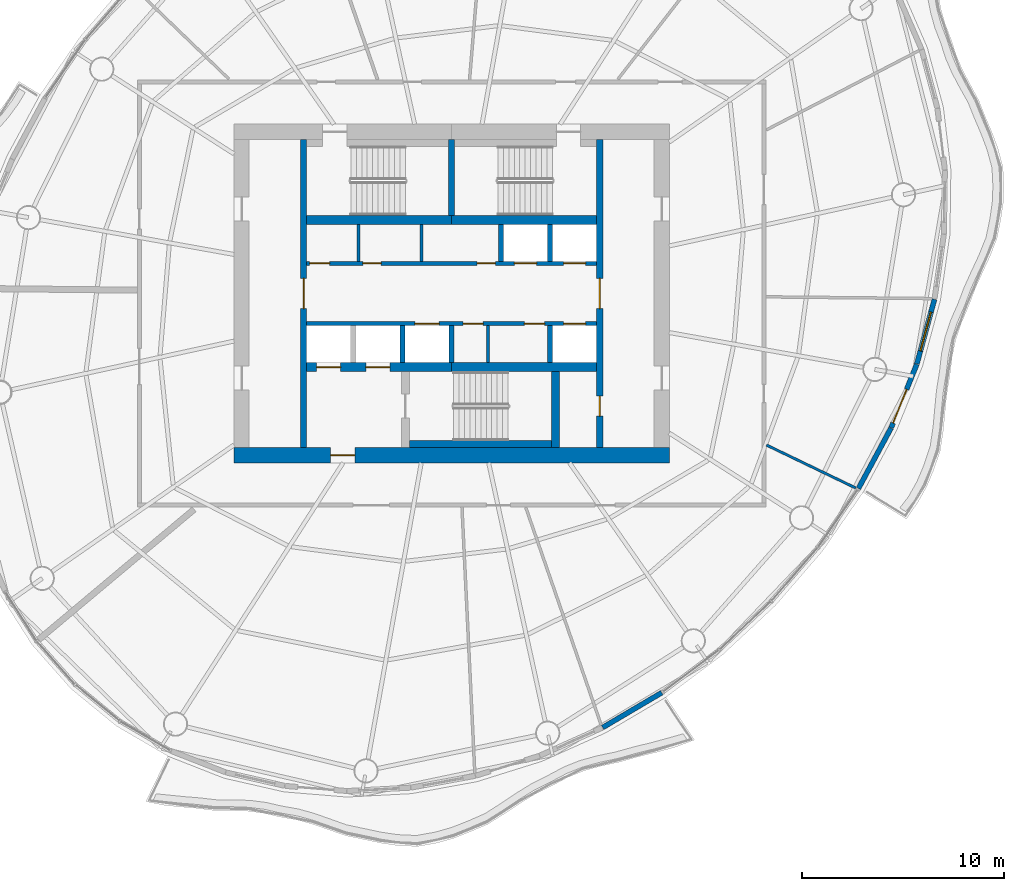
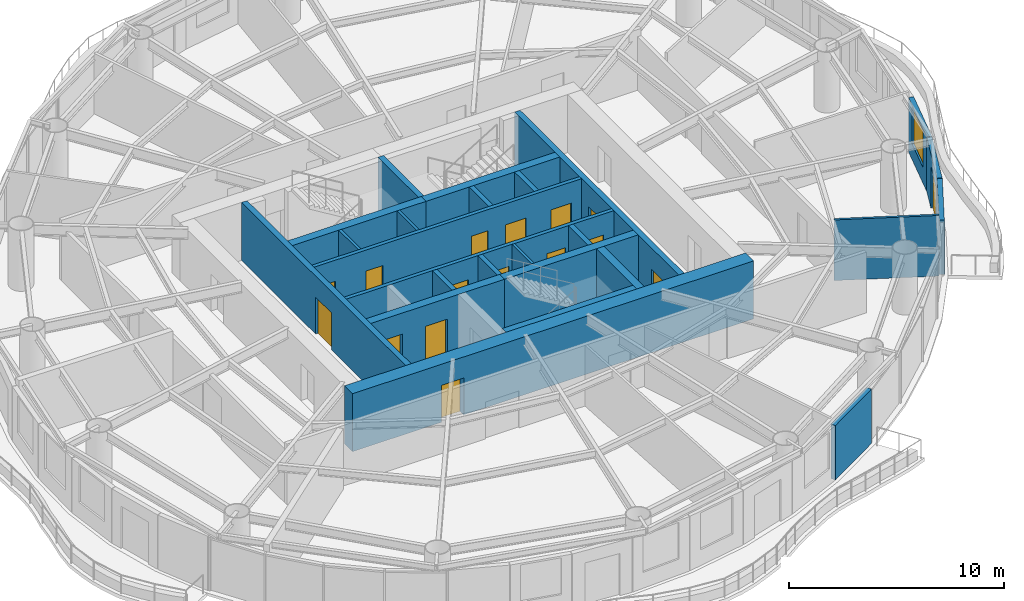
# One storey, part 9 of 14: 25 walls, 16 doors, 1 window, 17 openings.
"""IFC4 building model written with IfcOpenShell, lengths in metres."""

from ifc_helpers import new_model, si_unit, direction, frame, frame_2d, origin, place, context, subcontext, project, spatial, rectangle, extrude, material, layer, layer_set, type_object, element, fill, save


model = new_model("IFC4")

# Units and contexts
model_context = context("Model", 3, precision=1e-05, world=origin(), true_north=direction((0.0, 1.0)))
body_context = subcontext(model_context, "Body", "Model", "MODEL_VIEW")
ifc_project = project(units=[si_unit("LENGTHUNIT", "METRE"), si_unit("AREAUNIT", "SQUARE_METRE"), si_unit("VOLUMEUNIT", "CUBIC_METRE"), si_unit("PLANEANGLEUNIT", "RADIAN"), si_unit("MASSUNIT", "GRAM", prefix="KILO")], contexts=[model_context])

# Site, building, storey
site_placement = place(None, origin())
site = spatial("IfcSite", under=ifc_project, at=site_placement, CompositionType="ELEMENT")
building_placement = place(site_placement, origin())
building = spatial("IfcBuilding", under=site, at=building_placement, Name="Vermilion Reach Broadcast Tower", CompositionType="ELEMENT")
storey_placement = place(building_placement, frame((0.0, 0.0, 217.300048828125)))
storey = spatial("IfcBuildingStorey", under=building, at=storey_placement, Name="L53", CompositionType="ELEMENT", Elevation=217.300048828125)

# Wall, opening, door
ifc_material_1 = material(Name="Concrete C60", Category="concrete")
ifc_layer_1 = layer(ifc_material_1, 0.300048828125)
ifc_layer_set_1 = layer_set([ifc_layer_1], Name="Core inner wall 300 mm Concrete C60")
wall_type_1 = type_object("IfcWallType", Name="Core inner wall 300 mm Concrete C60", PredefinedType="SHEAR", material=ifc_layer_set_1)
wall_1_placement = place(storey_placement, frame((-13.35009765625, 7.64990234375, 0.0), z_axis=(0.0, 0.0, 1.0), x_axis=(0.0, -1.0, 0.0)))
wall_1 = element("IfcWall", 1, at=wall_1_placement, inside=storey, type_object=wall_type_1, Name="L53 core wall ewW", PredefinedType="SHEAR", context=body_context, shape_type="SweptSolid", body=[
    extrude(rectangle(XDim=15.2998046875, YDim=0.300048828125, at=frame_2d((7.64990234375, 0.0))), origin(), (0.0, 0.0, 1.0), 3.300048828125),
])
opening_1_placement = place(wall_1_placement, frame((6.89990234375, 0.0, 0.0)))
opening_1 = element("IfcOpeningElement", 2, at=opening_1_placement, cuts=wall_1, Name="Opening D04", PredefinedType="OPENING", context=body_context, shape_type="SweptSolid", body=[
    extrude(rectangle(XDim=1.5, YDim=2.10009765625, at=frame_2d((0.75, 1.050048828125))), frame((0.0, 0.159912109375, 0.0), z_axis=(0.0, -1.0, 0.0), x_axis=(1.0, 0.0, 0.0)), (0.0, 0.0, 1.0), 0.320068359375),
])
ifc_material_2 = material(Name="Painted steel fire door", Category="steel")
door_type_1 = type_object("IfcDoorType", Name="Lift lobby door 1500 x 2100", OperationType="DOUBLE_DOOR_SINGLE_SWING", PredefinedType="NOTDEFINED", material=ifc_material_2)
door_1_placement = place(opening_1_placement, origin())
door_1 = element("IfcDoor", 3, at=door_1_placement, inside=storey, type_object=door_type_1, Name="L53 band door BW", OperationType="DOUBLE_DOOR_SINGLE_SWING", OverallHeight=2.10009765625, OverallWidth=1.5, PredefinedType="NOTDEFINED", context=body_context, shape_type="SweptSolid", body=[
    extrude(rectangle(XDim=1.5, YDim=2.10009765625, at=frame_2d((0.75, 1.050048828125))), frame((0.0, 0.02490234375, 0.0), z_axis=(0.0, -1.0, 0.0), x_axis=(1.0, 0.0, 0.0)), (0.0, 0.0, 1.0), 0.050048828125),
])
fill(opening_1, door_1)

# Wall, openings, doors
wall_2_placement = place(storey_placement, frame((1.35009765625, -7.64990234375, 0.0), z_axis=(0.0, 0.0, 1.0), x_axis=(0.0, 1.0, 0.0)))
wall_2 = element("IfcWall", 4, at=wall_2_placement, inside=storey, type_object=wall_type_1, Name="L53 core wall ewE", PredefinedType="SHEAR", context=body_context, shape_type="SweptSolid", body=[
    extrude(rectangle(XDim=15.2998046875, YDim=0.300048828125, at=frame_2d((7.64990234375, 0.0))), origin(), (0.0, 0.0, 1.0), 3.300048828125),
])
opening_2_placement = place(wall_2_placement, frame((1.56005859375, 0.0, 0.0)))
opening_2 = element("IfcOpeningElement", 5, at=opening_2_placement, cuts=wall_2, Name="Opening D05", PredefinedType="OPENING", context=body_context, shape_type="SweptSolid", body=[
    extrude(rectangle(XDim=1.0, YDim=2.10009765625, at=frame_2d((0.5, 1.050048828125))), frame((0.0, 0.159912109375, 0.0), z_axis=(0.0, -1.0, 0.0), x_axis=(1.0, 0.0, 0.0)), (0.0, 0.0, 1.0), 0.320068359375),
])
opening_3_placement = place(wall_2_placement, frame((6.89990234375, 0.0, 0.0)))
opening_3 = element("IfcOpeningElement", 6, at=opening_3_placement, cuts=wall_2, Name="Opening D04", PredefinedType="OPENING", context=body_context, shape_type="SweptSolid", body=[
    extrude(rectangle(XDim=1.5, YDim=2.10009765625, at=frame_2d((0.75, 1.050048828125))), frame((0.0, 0.159912109375, 0.0), z_axis=(0.0, -1.0, 0.0), x_axis=(1.0, 0.0, 0.0)), (0.0, 0.0, 1.0), 0.320068359375),
])
door_2_placement = place(opening_3_placement, origin())
door_2 = element("IfcDoor", 7, at=door_2_placement, inside=storey, type_object=door_type_1, Name="L53 band door BE", OperationType="DOUBLE_DOOR_SINGLE_SWING", OverallHeight=2.10009765625, OverallWidth=1.5, PredefinedType="NOTDEFINED", context=body_context, shape_type="SweptSolid", body=[
    extrude(rectangle(XDim=1.5, YDim=2.10009765625, at=frame_2d((0.75, 1.050048828125))), frame((0.0, 0.02490234375, 0.0), z_axis=(0.0, -1.0, 0.0), x_axis=(1.0, 0.0, 0.0)), (0.0, 0.0, 1.0), 0.050048828125),
])
fill(opening_3, door_2)
ifc_material_3 = material(Name="Timber door", Category="wood")
door_type_2 = type_object("IfcDoorType", Name="Room door 1000 x 2100", OperationType="NOTDEFINED", PredefinedType="NOTDEFINED", material=ifc_material_3)
door_3_placement = place(opening_2_placement, origin())
door_3 = element("IfcDoor", 8, at=door_3_placement, inside=storey, type_object=door_type_2, Name="L53 door SER", OperationType="SINGLE_SWING_LEFT", OverallHeight=2.10009765625, OverallWidth=1.0, PredefinedType="NOTDEFINED", context=body_context, shape_type="SweptSolid", body=[
    extrude(rectangle(XDim=1.0, YDim=2.10009765625, at=frame_2d((0.5, 1.050048828125))), frame((0.0, 0.02490234375, 0.0), z_axis=(0.0, -1.0, 0.0), x_axis=(1.0, 0.0, 0.0)), (0.0, 0.0, 1.0), 0.050048828125),
])
fill(opening_2, door_3)

# Walls
wall_3_placement = place(storey_placement, frame((-6.0, 3.8798828125, 0.0), z_axis=(0.0, 0.0, 1.0), x_axis=(0.0, 1.0, 0.0)))
element("IfcWall", 9, at=wall_3_placement, inside=storey, type_object=wall_type_1, Name="L53 core wall wc", PredefinedType="SHEAR", context=body_context, shape_type="SweptSolid", body=[
    extrude(rectangle(XDim=3.77001953125, YDim=0.300048828125, at=frame_2d((1.885009765625, 0.0))), origin(), (0.0, 0.0, 1.0), 3.300048828125),
])
ifc_material_4 = material(Name="Concrete C60", Category="concrete")
ifc_layer_2 = layer(ifc_material_4, 0.39990234375)
ifc_layer_set_2 = layer_set([ifc_layer_2], Name="Core inner wall 400 mm Concrete C60")
wall_type_2 = type_object("IfcWallType", Name="Core inner wall 400 mm Concrete C60", PredefinedType="SHEAR", material=ifc_layer_set_2)
wall_4_placement = place(storey_placement, frame((-0.85009765625, -3.8798828125, 0.0), z_axis=(0.0, 0.0, 1.0), x_axis=(0.0, -1.0, 0.0)))
element("IfcWall", 10, at=wall_4_placement, inside=storey, type_object=wall_type_2, Name="L53 core wall wb", PredefinedType="SHEAR", context=body_context, shape_type="SweptSolid", body=[
    extrude(rectangle(XDim=3.77001953125, YDim=0.39990234375, at=frame_2d((1.885009765625, 0.0))), origin(), (0.0, 0.0, 1.0), 3.300048828125),
])
ifc_material_5 = material(Name="Concrete C60", Category="concrete")
ifc_layer_3 = layer(ifc_material_5, 0.449951171875)
ifc_layer_set_3 = layer_set([ifc_layer_3], Name="Core inner wall 450 mm Concrete C60")
wall_type_3 = type_object("IfcWallType", Name="Core inner wall 450 mm Concrete C60", PredefinedType="SHEAR", material=ifc_layer_set_3)
for number, where, z_axis, x_axis, name in (
    (11, (-13.199951171875, 3.655029296875, 0.0), (0.0, 0.0, 1.0), (1.0, 0.0, 0.0), "L53 core wall winW"),
    (12, (-6.0, 3.655029296875, 0.0), (0.0, 0.0, 1.0), (1.0, 0.0, 0.0), "L53 core wall winE"),
):
    element("IfcWall", number, at=place(storey_placement, frame(where, z_axis=z_axis, x_axis=x_axis)), inside=storey, type_object=wall_type_3, Name=name, PredefinedType="SHEAR", context=body_context, shape_type="SweptSolid", body=[
        extrude(rectangle(XDim=7.199951171875, YDim=0.449951171875, at=frame_2d((3.60009765625, 0.0))), origin(), (0.0, 0.0, 1.0), 3.300048828125),
    ])

# Wall, openings, doors
wall_5_placement = place(storey_placement, frame((-13.199951171875, -3.655029296875, 0.0), z_axis=(0.0, 0.0, 1.0), x_axis=(1.0, 0.0, 0.0)))
wall_5 = element("IfcWall", 13, at=wall_5_placement, inside=storey, type_object=wall_type_3, Name="L53 core wall wisW", PredefinedType="SHEAR", context=body_context, shape_type="SweptSolid", body=[
    extrude(rectangle(XDim=7.199951171875, YDim=0.449951171875, at=frame_2d((3.60009765625, 0.0))), origin(), (0.0, 0.0, 1.0), 3.300048828125),
])
opening_4_placement = place(wall_5_placement, frame((0.495849609375, 0.0, 0.0)))
opening_4 = element("IfcOpeningElement", 14, at=opening_4_placement, cuts=wall_5, Name="Opening LD1", PredefinedType="OPENING", context=body_context, shape_type="SweptSolid", body=[
    extrude(rectangle(XDim=1.199951171875, YDim=2.10009765625, at=frame_2d((0.60009765625, 1.050048828125))), frame((0.0, 0.23486328125, 0.0), z_axis=(0.0, -1.0, 0.0), x_axis=(1.0, 0.0, 0.0)), (0.0, 0.0, 1.0), 0.469970703125),
])
opening_5_placement = place(wall_5_placement, frame((2.9375, 0.0, 0.0)))
opening_5 = element("IfcOpeningElement", 15, at=opening_5_placement, cuts=wall_5, Name="Opening LD1", PredefinedType="OPENING", context=body_context, shape_type="SweptSolid", body=[
    extrude(rectangle(XDim=1.199951171875, YDim=2.10009765625, at=frame_2d((0.60009765625, 1.050048828125))), frame((0.0, 0.23486328125, 0.0), z_axis=(0.0, -1.0, 0.0), x_axis=(1.0, 0.0, 0.0)), (0.0, 0.0, 1.0), 0.469970703125),
])
ifc_material_6 = material(Name="Stainless steel", Category="steel")
door_type_3 = type_object("IfcDoorType", Name="Landing door 1200 x 2100", OperationType="DOUBLE_DOOR_SLIDING", PredefinedType="NOTDEFINED", material=ifc_material_6)
door_4_placement = place(opening_4_placement, origin())
door_4 = element("IfcDoor", 16, at=door_4_placement, inside=storey, type_object=door_type_3, Name="L53 landing door FF1", OperationType="DOUBLE_DOOR_SLIDING", OverallHeight=2.10009765625, OverallWidth=1.199951171875, PredefinedType="NOTDEFINED", context=body_context, shape_type="SweptSolid", body=[
    extrude(rectangle(XDim=1.199951171875, YDim=2.10009765625, at=frame_2d((0.60009765625, 1.050048828125))), frame((0.0, 0.02490234375, 0.0), z_axis=(0.0, -1.0, 0.0), x_axis=(1.0, 0.0, 0.0)), (0.0, 0.0, 1.0), 0.050048828125),
])
fill(opening_4, door_4)
door_5_placement = place(opening_5_placement, origin())
door_5 = element("IfcDoor", 17, at=door_5_placement, inside=storey, type_object=door_type_3, Name="L53 landing door FF2", OperationType="DOUBLE_DOOR_SLIDING", OverallHeight=2.10009765625, OverallWidth=1.199951171875, PredefinedType="NOTDEFINED", context=body_context, shape_type="SweptSolid", body=[
    extrude(rectangle(XDim=1.199951171875, YDim=2.10009765625, at=frame_2d((0.60009765625, 1.050048828125))), frame((0.0, 0.02490234375, 0.0), z_axis=(0.0, -1.0, 0.0), x_axis=(1.0, 0.0, 0.0)), (0.0, 0.0, 1.0), 0.050048828125),
])
fill(opening_5, door_5)

# Wall
wall_6_placement = place(storey_placement, frame((-6.0, -3.655029296875, 0.0), z_axis=(0.0, 0.0, 1.0), x_axis=(1.0, 0.0, 0.0)))
element("IfcWall", 18, at=wall_6_placement, inside=storey, type_object=wall_type_3, Name="L53 core wall wisE", PredefinedType="SHEAR", context=body_context, shape_type="SweptSolid", body=[
    extrude(rectangle(XDim=7.199951171875, YDim=0.449951171875, at=frame_2d((3.60009765625, 0.0))), origin(), (0.0, 0.0, 1.0), 3.300048828125),
])

# Wall, opening, door
ifc_material_7 = material(Name="Concrete C60", Category="concrete")
ifc_layer_4 = layer(ifc_material_7, 0.75)
ifc_layer_set_4 = layer_set([ifc_layer_4], Name="Core outer wall 750 mm Concrete C60")
wall_type_4 = type_object("IfcWallType", Name="Core outer wall 750 mm Concrete C60", PredefinedType="SHEAR", material=ifc_layer_set_4)
wall_7_placement = place(storey_placement, frame((-16.800048828125, -8.02490234375, 0.0), z_axis=(0.0, 0.0, 1.0), x_axis=(1.0, 0.0, 0.0)))
wall_7 = element("IfcWall", 19, at=wall_7_placement, inside=storey, type_object=wall_type_4, Name="L53 core wall os", PredefinedType="SHEAR", context=body_context, shape_type="SweptSolid", body=[
    extrude(rectangle(XDim=21.60009765625, YDim=0.75, at=frame_2d((10.800048828125, 0.0))), origin(), (0.0, 0.0, 1.0), 3.300048828125),
])
opening_6_placement = place(wall_7_placement, frame((4.800048828125, 0.0, 0.0)))
opening_6 = element("IfcOpeningElement", 20, at=opening_6_placement, cuts=wall_7, Name="Opening D02", PredefinedType="OPENING", context=body_context, shape_type="SweptSolid", body=[
    extrude(rectangle(XDim=1.199951171875, YDim=2.10009765625, at=frame_2d((0.60009765625, 1.050048828125))), frame((0.0, 0.385009765625, 0.0), z_axis=(0.0, -1.0, 0.0), x_axis=(1.0, 0.0, 0.0)), (0.0, 0.0, 1.0), 0.77001953125),
])
ifc_material_8 = material(Name="Painted steel fire door", Category="steel")
door_type_4 = type_object("IfcDoorType", Name="Firefighting lobby door 1200 x 2100", OperationType="DOUBLE_DOOR_SINGLE_SWING", PredefinedType="NOTDEFINED", material=ifc_material_8)
door_6_placement = place(opening_6_placement, origin())
door_6 = element("IfcDoor", 21, at=door_6_placement, inside=storey, type_object=door_type_4, Name="L53 ffdoor door FFL", OperationType="DOUBLE_DOOR_SINGLE_SWING", OverallHeight=2.10009765625, OverallWidth=1.199951171875, PredefinedType="NOTDEFINED", context=body_context, shape_type="SweptSolid", body=[
    extrude(rectangle(XDim=1.199951171875, YDim=2.10009765625, at=frame_2d((0.60009765625, 1.050048828125))), frame((0.0, 0.02490234375, 0.0), z_axis=(0.0, -1.0, 0.0), x_axis=(1.0, 0.0, 0.0)), (0.0, 0.0, 1.0), 0.050048828125),
])
fill(opening_6, door_6)

# Walls
ifc_material_9 = material(Name="Masonry block", Category="masonry")
ifc_layer_5 = layer(ifc_material_9, 0.14990234375)
ifc_layer_set_5 = layer_set([ifc_layer_5], Name="Core partition wall 150 mm Masonry block")
wall_type_5 = type_object("IfcWallType", Name="Core partition wall 150 mm Masonry block", PredefinedType="PARTITIONING", material=ifc_layer_set_5)
for number, where, z_axis, x_axis, name in (
    (22, (-10.630615234375, 1.60009765625, 0.0), (0.0, 0.0, 1.0), (0.0, 1.0, 0.0), "L53 core wall prN-4630"),
    (23, (-7.489990234375, 1.60009765625, 0.0), (0.0, 0.0, 1.0), (0.0, 1.0, 0.0), "L53 core wall prN-1490"),
    (24, (-4.20703125, -1.60009765625, 0.0), (0.0, 0.0, 1.0), (0.0, -1.0, 0.0), "L53 core wall prS1793"),
):
    element("IfcWall", number, at=place(storey_placement, frame(where, z_axis=z_axis, x_axis=x_axis)), inside=storey, type_object=wall_type_5, Name=name, PredefinedType="PARTITIONING", context=body_context, shape_type="SweptSolid", body=[
        extrude(rectangle(XDim=1.829833984375, YDim=0.14990234375, at=frame_2d((0.9150390625, 0.0))), origin(), (0.0, 0.0, 1.0), 3.300048828125),
    ])

# Wall, openings, doors
ifc_material_10 = material(Name="Concrete C50", Category="concrete")
ifc_layer_6 = layer(ifc_material_10, 0.199951171875)
ifc_layer_set_6 = layer_set([ifc_layer_6], Name="Core shaft wall 200 mm Concrete C50")
wall_type_6 = type_object("IfcWallType", Name="Core shaft wall 200 mm Concrete C50", PredefinedType="SHEAR", material=ifc_layer_set_6)
wall_8_placement = place(storey_placement, frame((-13.199951171875, 1.5, 0.0), z_axis=(0.0, 0.0, 1.0), x_axis=(1.0, 0.0, 0.0)))
wall_8 = element("IfcWall", 25, at=wall_8_placement, inside=storey, type_object=wall_type_6, Name="L53 core wall fn", PredefinedType="SHEAR", context=body_context, shape_type="SweptSolid", body=[
    extrude(rectangle(XDim=14.39990234375, YDim=0.199951171875, at=frame_2d((7.199951171875, 0.0))), origin(), (0.0, 0.0, 1.0), 3.300048828125),
])
opening_7_placement = place(wall_8_placement, frame((10.3125, 0.0, 0.0)))
opening_7 = element("IfcOpeningElement", 26, at=opening_7_placement, cuts=wall_8, Name="Opening LD2", PredefinedType="OPENING", context=body_context, shape_type="SweptSolid", body=[
    extrude(rectangle(XDim=1.10009765625, YDim=2.10009765625, at=frame_2d((0.550048828125, 1.050048828125))), frame((0.0, 0.10986328125, 0.0), z_axis=(0.0, -1.0, 0.0), x_axis=(1.0, 0.0, 0.0)), (0.0, 0.0, 1.0), 0.219970703125),
])
opening_8_placement = place(wall_8_placement, frame((12.754150390625, 0.0, 0.0)))
opening_8 = element("IfcOpeningElement", 27, at=opening_8_placement, cuts=wall_8, Name="Opening LD2", PredefinedType="OPENING", context=body_context, shape_type="SweptSolid", body=[
    extrude(rectangle(XDim=1.10009765625, YDim=2.10009765625, at=frame_2d((0.550048828125, 1.050048828125))), frame((0.0, 0.10986328125, 0.0), z_axis=(0.0, -1.0, 0.0), x_axis=(1.0, 0.0, 0.0)), (0.0, 0.0, 1.0), 0.219970703125),
])
opening_9_placement = place(wall_8_placement, frame((0.14990234375, 0.0, 0.0)))
opening_9 = element("IfcOpeningElement", 28, at=opening_9_placement, cuts=wall_8, Name="Opening D10", PredefinedType="OPENING", context=body_context, shape_type="SweptSolid", body=[
    extrude(rectangle(XDim=1.0, YDim=2.10009765625, at=frame_2d((0.5, 1.050048828125))), frame((0.0, 0.10986328125, 0.0), z_axis=(0.0, -1.0, 0.0), x_axis=(1.0, 0.0, 0.0)), (0.0, 0.0, 1.0), 0.219970703125),
])
opening_10_placement = place(wall_8_placement, frame((2.79443359375, 0.0, 0.0)))
opening_10 = element("IfcOpeningElement", 29, at=opening_10_placement, cuts=wall_8, Name="Opening D06", PredefinedType="OPENING", context=body_context, shape_type="SweptSolid", body=[
    extrude(rectangle(XDim=0.89990234375, YDim=2.10009765625, at=frame_2d((0.449951171875, 1.050048828125))), frame((0.0, 0.10986328125, 0.0), z_axis=(0.0, -1.0, 0.0), x_axis=(1.0, 0.0, 0.0)), (0.0, 0.0, 1.0), 0.219970703125),
])
opening_11_placement = place(wall_8_placement, frame((8.466552734375, 0.0, 0.0)))
opening_11 = element("IfcOpeningElement", 30, at=opening_11_placement, cuts=wall_8, Name="Opening D06", PredefinedType="OPENING", context=body_context, shape_type="SweptSolid", body=[
    extrude(rectangle(XDim=0.89990234375, YDim=2.10009765625, at=frame_2d((0.449951171875, 1.050048828125))), frame((0.0, 0.10986328125, 0.0), z_axis=(0.0, -1.0, 0.0), x_axis=(1.0, 0.0, 0.0)), (0.0, 0.0, 1.0), 0.219970703125),
])
ifc_material_11 = material(Name="Stainless steel", Category="steel")
door_type_5 = type_object("IfcDoorType", Name="Landing door 1100 x 2100", OperationType="DOUBLE_DOOR_SLIDING", PredefinedType="NOTDEFINED", material=ifc_material_11)
door_7_placement = place(opening_7_placement, origin())
door_7 = element("IfcDoor", 31, at=door_7_placement, inside=storey, type_object=door_type_5, Name="L53 landing door HR1", OperationType="DOUBLE_DOOR_SLIDING", OverallHeight=2.10009765625, OverallWidth=1.10009765625, PredefinedType="NOTDEFINED", context=body_context, shape_type="SweptSolid", body=[
    extrude(rectangle(XDim=1.10009765625, YDim=2.10009765625, at=frame_2d((0.550048828125, 1.050048828125))), frame((0.0, 0.02490234375, 0.0), z_axis=(0.0, -1.0, 0.0), x_axis=(1.0, 0.0, 0.0)), (0.0, 0.0, 1.0), 0.050048828125),
])
fill(opening_7, door_7)
door_8_placement = place(opening_8_placement, origin())
door_8 = element("IfcDoor", 32, at=door_8_placement, inside=storey, type_object=door_type_5, Name="L53 landing door HR2", OperationType="DOUBLE_DOOR_SLIDING", OverallHeight=2.10009765625, OverallWidth=1.10009765625, PredefinedType="NOTDEFINED", context=body_context, shape_type="SweptSolid", body=[
    extrude(rectangle(XDim=1.10009765625, YDim=2.10009765625, at=frame_2d((0.550048828125, 1.050048828125))), frame((0.0, 0.02490234375, 0.0), z_axis=(0.0, -1.0, 0.0), x_axis=(1.0, 0.0, 0.0)), (0.0, 0.0, 1.0), 0.050048828125),
])
fill(opening_8, door_8)
ifc_material_12 = material(Name="Timber door", Category="wood")
door_type_6 = type_object("IfcDoorType", Name="WC door 900 x 2100", OperationType="NOTDEFINED", PredefinedType="NOTDEFINED", material=ifc_material_12)
door_9_placement = place(opening_10_placement, origin())
door_9 = element("IfcDoor", 33, at=door_9_placement, inside=storey, type_object=door_type_6, Name="L53 door Male WC", OperationType="SINGLE_SWING_LEFT", OverallHeight=2.10009765625, OverallWidth=0.89990234375, PredefinedType="NOTDEFINED", context=body_context, shape_type="SweptSolid", body=[
    extrude(rectangle(XDim=0.89990234375, YDim=2.10009765625, at=frame_2d((0.449951171875, 1.050048828125))), frame((0.0, 0.02490234375, 0.0), z_axis=(0.0, -1.0, 0.0), x_axis=(1.0, 0.0, 0.0)), (0.0, 0.0, 1.0), 0.050048828125),
])
fill(opening_10, door_9)
door_10_placement = place(opening_11_placement, origin())
door_10 = element("IfcDoor", 34, at=door_10_placement, inside=storey, type_object=door_type_6, Name="L53 door Female WC", OperationType="SINGLE_SWING_RIGHT", OverallHeight=2.10009765625, OverallWidth=0.89990234375, PredefinedType="NOTDEFINED", context=body_context, shape_type="SweptSolid", body=[
    extrude(rectangle(XDim=0.89990234375, YDim=2.10009765625, at=frame_2d((0.449951171875, 1.050048828125))), frame((0.0, 0.02490234375, 0.0), z_axis=(0.0, -1.0, 0.0), x_axis=(1.0, 0.0, 0.0)), (0.0, 0.0, 1.0), 0.050048828125),
])
fill(opening_11, door_10)
ifc_material_13 = material(Name="Timber door", Category="wood")
door_type_7 = type_object("IfcDoorType", Name="WC lobby door 1000 x 2100", OperationType="NOTDEFINED", PredefinedType="NOTDEFINED", material=ifc_material_13)
door_11_placement = place(opening_9_placement, origin())
door_11 = element("IfcDoor", 35, at=door_11_placement, inside=storey, type_object=door_type_7, Name="L53 door WC lobby", OperationType="SINGLE_SWING_LEFT", OverallHeight=2.10009765625, OverallWidth=1.0, PredefinedType="NOTDEFINED", context=body_context, shape_type="SweptSolid", body=[
    extrude(rectangle(XDim=1.0, YDim=2.10009765625, at=frame_2d((0.5, 1.050048828125))), frame((0.0, 0.02490234375, 0.0), z_axis=(0.0, -1.0, 0.0), x_axis=(1.0, 0.0, 0.0)), (0.0, 0.0, 1.0), 0.050048828125),
])
fill(opening_9, door_11)

wall_9_placement = place(storey_placement, frame((1.199951171875, -1.5, 0.0), z_axis=(0.0, 0.0, 1.0), x_axis=(-1.0, 0.0, 0.0)))
wall_9 = element("IfcWall", 36, at=wall_9_placement, inside=storey, type_object=wall_type_6, Name="L53 core wall fs", PredefinedType="SHEAR", context=body_context, shape_type="SweptSolid", body=[
    extrude(rectangle(XDim=14.39990234375, YDim=0.199951171875, at=frame_2d((7.199951171875, 0.0))), origin(), (0.0, 0.0, 1.0), 3.300048828125),
])
opening_12_placement = place(wall_9_placement, frame((7.82080078125, 0.0, 0.0)))
opening_12 = element("IfcOpeningElement", 37, at=opening_12_placement, cuts=wall_9, Name="Opening LD1", PredefinedType="OPENING", context=body_context, shape_type="SweptSolid", body=[
    extrude(rectangle(XDim=1.199951171875, YDim=2.10009765625, at=frame_2d((0.60009765625, 1.050048828125))), frame((0.0, 0.10986328125, 0.0), z_axis=(0.0, -1.0, 0.0), x_axis=(1.0, 0.0, 0.0)), (0.0, 0.0, 1.0), 0.219970703125),
])
opening_13_placement = place(wall_9_placement, frame((0.5458984375, 0.0, 0.0)))
opening_13 = element("IfcOpeningElement", 38, at=opening_13_placement, cuts=wall_9, Name="Opening LD2", PredefinedType="OPENING", context=body_context, shape_type="SweptSolid", body=[
    extrude(rectangle(XDim=1.10009765625, YDim=2.10009765625, at=frame_2d((0.550048828125, 1.050048828125))), frame((0.0, 0.10986328125, 0.0), z_axis=(0.0, -1.0, 0.0), x_axis=(1.0, 0.0, 0.0)), (0.0, 0.0, 1.0), 0.219970703125),
])
opening_14_placement = place(wall_9_placement, frame((5.632080078125, 0.0, 0.0)))
opening_14 = element("IfcOpeningElement", 39, at=opening_14_placement, cuts=wall_9, Name="Opening D11", PredefinedType="OPENING", context=body_context, shape_type="SweptSolid", body=[
    extrude(rectangle(XDim=1.0, YDim=2.10009765625, at=frame_2d((0.5, 1.050048828125))), frame((0.0, 0.10986328125, 0.0), z_axis=(0.0, -1.0, 0.0), x_axis=(1.0, 0.0, 0.0)), (0.0, 0.0, 1.0), 0.219970703125),
])
opening_15_placement = place(wall_9_placement, frame((2.591552734375, 0.0, 0.0)))
opening_15 = element("IfcOpeningElement", 40, at=opening_15_placement, cuts=wall_9, Name="Opening D07", PredefinedType="OPENING", context=body_context, shape_type="SweptSolid", body=[
    extrude(rectangle(XDim=1.0, YDim=2.10009765625, at=frame_2d((0.5, 1.050048828125))), frame((0.0, 0.10986328125, 0.0), z_axis=(0.0, -1.0, 0.0), x_axis=(1.0, 0.0, 0.0)), (0.0, 0.0, 1.0), 0.219970703125),
])
ifc_material_14 = material(Name="Timber door", Category="wood")
door_type_8 = type_object("IfcDoorType", Name="Accessible WC door 1000 x 2100", OperationType="NOTDEFINED", PredefinedType="NOTDEFINED", material=ifc_material_14)
door_12_placement = place(opening_15_placement, origin())
door_12 = element("IfcDoor", 41, at=door_12_placement, inside=storey, type_object=door_type_8, Name="L53 door Accessible WC", OperationType="SINGLE_SWING_LEFT", OverallHeight=2.10009765625, OverallWidth=1.0, PredefinedType="NOTDEFINED", context=body_context, shape_type="SweptSolid", body=[
    extrude(rectangle(XDim=1.0, YDim=2.10009765625, at=frame_2d((0.5, 1.050048828125))), frame((0.0, 0.02490234375, 0.0), z_axis=(0.0, -1.0, 0.0), x_axis=(1.0, 0.0, 0.0)), (0.0, 0.0, 1.0), 0.050048828125),
])
fill(opening_15, door_12)
door_13_placement = place(opening_13_placement, origin())
door_13 = element("IfcDoor", 42, at=door_13_placement, inside=storey, type_object=door_type_5, Name="L53 landing door HR3", OperationType="DOUBLE_DOOR_SLIDING", OverallHeight=2.10009765625, OverallWidth=1.10009765625, PredefinedType="NOTDEFINED", context=body_context, shape_type="SweptSolid", body=[
    extrude(rectangle(XDim=1.10009765625, YDim=2.10009765625, at=frame_2d((0.550048828125, 1.050048828125))), frame((0.0, 0.02490234375, 0.0), z_axis=(0.0, -1.0, 0.0), x_axis=(1.0, 0.0, 0.0)), (0.0, 0.0, 1.0), 0.050048828125),
])
fill(opening_13, door_13)
door_14_placement = place(opening_12_placement, origin())
door_14 = element("IfcDoor", 43, at=door_14_placement, inside=storey, type_object=door_type_3, Name="L53 landing door SV1", OperationType="DOUBLE_DOOR_SLIDING", OverallHeight=2.10009765625, OverallWidth=1.199951171875, PredefinedType="NOTDEFINED", context=body_context, shape_type="SweptSolid", body=[
    extrude(rectangle(XDim=1.199951171875, YDim=2.10009765625, at=frame_2d((0.60009765625, 1.050048828125))), frame((0.0, 0.02490234375, 0.0), z_axis=(0.0, -1.0, 0.0), x_axis=(1.0, 0.0, 0.0)), (0.0, 0.0, 1.0), 0.050048828125),
])
fill(opening_12, door_14)
ifc_material_15 = material(Name="Painted steel fire door", Category="steel")
door_type_9 = type_object("IfcDoorType", Name="Services room door 1000 x 2100", OperationType="NOTDEFINED", PredefinedType="NOTDEFINED", material=ifc_material_15)
door_15_placement = place(opening_14_placement, origin())
door_15 = element("IfcDoor", 44, at=door_15_placement, inside=storey, type_object=door_type_9, Name="L53 door Electrical room", OperationType="SINGLE_SWING_LEFT", OverallHeight=2.10009765625, OverallWidth=1.0, PredefinedType="NOTDEFINED", context=body_context, shape_type="SweptSolid", body=[
    extrude(rectangle(XDim=1.0, YDim=2.10009765625, at=frame_2d((0.5, 1.050048828125))), frame((0.0, 0.02490234375, 0.0), z_axis=(0.0, -1.0, 0.0), x_axis=(1.0, 0.0, 0.0)), (0.0, 0.0, 1.0), 0.050048828125),
])
fill(opening_14, door_15)

# Walls
ifc_material_16 = material(Name="Concrete C50", Category="concrete")
ifc_layer_7 = layer(ifc_material_16, 0.25)
ifc_layer_set_7 = layer_set([ifc_layer_7], Name="Core shaft wall 250 mm Concrete C50")
wall_type_7 = type_object("IfcWallType", Name="Core shaft wall 250 mm Concrete C50", PredefinedType="SHEAR", material=ifc_layer_set_7)
for number, where, z_axis, x_axis, name in (
    (45, (-3.558349609375, 1.60009765625, 0.0), (0.0, 0.0, 1.0), (0.0, 1.0, 0.0), "L53 core wall psN3"),
    (46, (-1.11669921875, 1.60009765625, 0.0), (0.0, 0.0, 1.0), (0.0, 1.0, 0.0), "L53 core wall psN4"),
    (47, (-8.441650390625, -1.60009765625, 0.0), (0.0, 0.0, 1.0), (0.0, -1.0, 0.0), "L53 core wall psS1"),
    (48, (-6.0, -1.60009765625, 0.0), (0.0, 0.0, 1.0), (0.0, -1.0, 0.0), "L53 core wall psS2"),
    (49, (-1.11669921875, -1.60009765625, 0.0), (0.0, 0.0, 1.0), (0.0, -1.0, 0.0), "L53 core wall psS4"),
):
    element("IfcWall", number, at=place(storey_placement, frame(where, z_axis=z_axis, x_axis=x_axis)), inside=storey, type_object=wall_type_7, Name=name, PredefinedType="SHEAR", context=body_context, shape_type="SweptSolid", body=[
        extrude(rectangle(XDim=1.829833984375, YDim=0.25, at=frame_2d((0.9150390625, 0.0))), origin(), (0.0, 0.0, 1.0), 3.300048828125),
    ])
ifc_material_17 = material(Name="Concrete C60", Category="concrete")
ifc_layer_8 = layer(ifc_material_17, 0.35009765625)
ifc_layer_set_8 = layer_set([ifc_layer_8], Name="Core stair wall 350 mm Concrete C60")
wall_type_8 = type_object("IfcWallType", Name="Core stair wall 350 mm Concrete C60", PredefinedType="SHEAR", material=ifc_layer_set_8)
wall_10_placement = place(storey_placement, frame((-8.10009765625, -7.47509765625, 0.0), z_axis=(0.0, 0.0, 1.0), x_axis=(1.0, 0.0, 0.0)))
element("IfcWall", 50, at=wall_10_placement, inside=storey, type_object=wall_type_8, Name="L53 core wall l3", PredefinedType="SHEAR", context=body_context, shape_type="SweptSolid", body=[
    extrude(rectangle(XDim=7.050048828125, YDim=0.35009765625, at=frame_2d((3.52490234375, 0.0))), origin(), (0.0, 0.0, 1.0), 3.300048828125),
])
ifc_material_18 = material(Name="Fire-rated plasterboard on steel stud", Category="steel")
ifc_layer_9 = layer(ifc_material_18, 0.125)
ifc_layer_set_9 = layer_set([ifc_layer_9], Name="Partition 125 fire-rated stud")
wall_type_9 = type_object("IfcWallType", Name="Partition 125 fire-rated stud", PredefinedType="PARTITIONING", material=ifc_layer_set_9)
wall_11_placement = place(storey_placement, frame((14.05712890625, -9.654541015625, 0.0), z_axis=(0.0, 0.0, 1.0), x_axis=(-0.901030422523, 0.433755896431, 0.0)))
element("IfcWall", 51, at=wall_11_placement, inside=storey, type_object=wall_type_9, Name="Partition 53.09", PredefinedType="PARTITIONING", context=body_context, shape_type="SweptSolid", body=[
    extrude(rectangle(XDim=4.91650390625, YDim=0.125, at=frame_2d((2.458251953125, 0.0))), origin(), (0.0, 0.0, 1.0), 3.449951171875),
])
ifc_material_19 = material(Name="Terracotta rainscreen cladding", Category="masonry")
ifc_layer_10 = layer(ifc_material_19, 0.25)
ifc_layer_set_10 = layer_set([ifc_layer_10], Name="Terracotta rainscreen wall 250")
wall_type_10 = type_object("IfcWallType", Name="Terracotta rainscreen wall 250", PredefinedType="SOLIDWALL", material=ifc_layer_set_10)
for number, where, z_axis, x_axis, name in (
    (52, (1.494873046875, -21.53955078125, 0.0), (0.0, 0.0, 1.0), (0.861311961965, 0.508076474731, 0.0), "External wall L53 33"),
    (53, (14.189697265625, -9.67138671875, 0.0), (0.0, 0.0, 1.0), (0.47528890286, 0.879829789685, 0.0), "External wall L53 38"),
):
    element("IfcWall", number, at=place(storey_placement, frame(where, z_axis=z_axis, x_axis=x_axis)), inside=storey, type_object=wall_type_10, Name=name, PredefinedType="SOLIDWALL", context=body_context, shape_type="SweptSolid", body=[
        extrude(rectangle(XDim=3.402587890625, YDim=0.25, at=frame_2d((1.701171875, 0.0))), origin(), (0.0, 0.0, 1.0), 3.099853515625),
    ])

# Wall, opening, door
wall_12_placement = place(storey_placement, frame((15.816162109375, -6.65771484375, 0.0), z_axis=(0.0, 0.0, 1.0), x_axis=(0.37322779977, 0.92773973154, 0.0)))
wall_12 = element("IfcWall", 54, at=wall_12_placement, inside=storey, type_object=wall_type_10, Name="External wall L53 39", PredefinedType="SOLIDWALL", context=body_context, shape_type="SweptSolid", body=[
    extrude(rectangle(XDim=3.3896484375, YDim=0.25, at=frame_2d((1.69482421875, 0.0))), origin(), (0.0, 0.0, 1.0), 3.099853515625),
])
opening_16_placement = place(wall_12_placement, frame((0.2451171875, 0.0, 0.0)))
opening_16 = element("IfcOpeningElement", 55, at=opening_16_placement, cuts=wall_12, Name="Opening D70", PredefinedType="OPENING", context=body_context, shape_type="SweptSolid", body=[
    extrude(rectangle(XDim=1.800048828125, YDim=2.39990234375, at=frame_2d((0.89990234375, 1.199951171875))), frame((0.0, 0.135009765625, 0.0), z_axis=(0.0, -1.0, 0.0), x_axis=(1.0, 0.0, 0.0)), (0.0, 0.0, 1.0), 0.27001953125),
])
ifc_material_20 = material(Name="Low-e laminated clear glass in aluminium frame", Category="aluminium")
door_type_10 = type_object("IfcDoorType", Name="Balcony sliding door 1800 x 2400", OperationType="DOUBLE_DOOR_SLIDING", PredefinedType="DOOR", material=ifc_material_20)
door_16_placement = place(opening_16_placement, origin())
door_16 = element("IfcDoor", 56, at=door_16_placement, inside=storey, type_object=door_type_10, Name="Balcony door L53 run 10", OperationType="DOUBLE_DOOR_SLIDING", OverallHeight=2.39990234375, OverallWidth=1.800048828125, PredefinedType="DOOR", context=body_context, shape_type="SweptSolid", body=[
    extrude(rectangle(XDim=1.800048828125, YDim=2.39990234375, at=frame_2d((0.89990234375, 1.199951171875))), frame((0.0, 0.02490234375, 0.0), z_axis=(0.0, -1.0, 0.0), x_axis=(1.0, 0.0, 0.0)), (0.0, 0.0, 1.0), 0.050048828125),
])
fill(opening_16, door_16)

# Wall, opening, window
wall_13_placement = place(storey_placement, frame((17.088623046875, -3.491455078125, 0.0), z_axis=(0.0, 0.0, 1.0), x_axis=(0.262494842553, 0.964933395439, 0.0)))
wall_13 = element("IfcWall", 57, at=wall_13_placement, inside=storey, type_object=wall_type_10, Name="External wall L53 40", PredefinedType="SOLIDWALL", context=body_context, shape_type="SweptSolid", body=[
    extrude(rectangle(XDim=3.318603515625, YDim=0.25, at=frame_2d((1.6591796875, 0.0))), origin(), (0.0, 0.0, 1.0), 3.099853515625),
])
opening_17_placement = place(wall_13_placement, frame((0.659423828125, 0.0, 0.89990234375)))
opening_17 = element("IfcOpeningElement", 58, at=opening_17_placement, cuts=wall_13, Name="Opening W03", PredefinedType="OPENING", context=body_context, shape_type="SweptSolid", body=[
    extrude(rectangle(XDim=2.0, YDim=2.10009765625, at=frame_2d((1.0, 1.050048828125))), frame((0.0, 0.135009765625, 0.0), z_axis=(0.0, -1.0, 0.0), x_axis=(1.0, 0.0, 0.0)), (0.0, 0.0, 1.0), 0.27001953125),
])
ifc_material_21 = material(Name="Low-e laminated clear glass in aluminium frame", Category="aluminium")
window_type = type_object("IfcWindowType", Name="Punched window 2000 x 2100 sill 900", PartitioningType="SINGLE_PANEL", PredefinedType="WINDOW", material=ifc_material_21)
window_placement = place(opening_17_placement, origin())
window = element("IfcWindow", 59, at=window_placement, inside=storey, type_object=window_type, Name="Window L53 40", OverallHeight=2.10009765625, OverallWidth=2.0, PartitioningType="SINGLE_PANEL", PredefinedType="WINDOW", context=body_context, shape_type="SweptSolid", body=[
    extrude(rectangle(XDim=2.0, YDim=2.10009765625, at=frame_2d((1.0, 1.050048828125))), frame((0.0, 0.030029296875, 0.0), z_axis=(0.0, -1.0, 0.0), x_axis=(1.0, 0.0, 0.0)), (0.0, 0.0, 1.0), 0.06005859375),
])
fill(opening_17, window)

save(model, "model.ifc")
